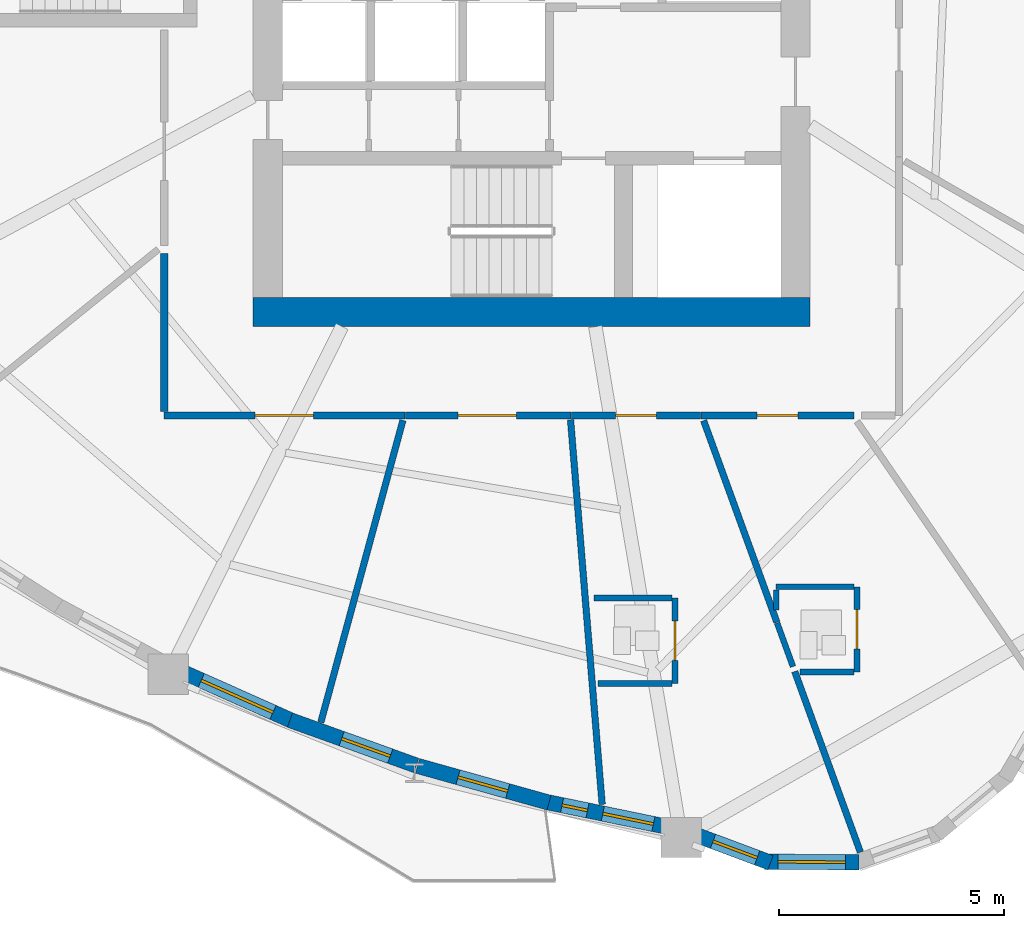
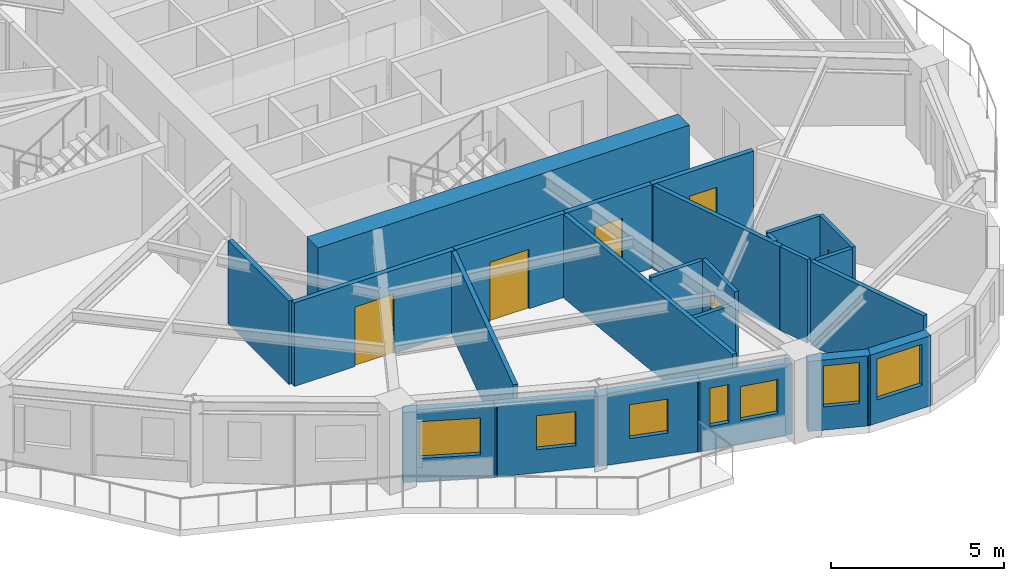
# One storey, part 3 of 12: 24 walls, 7 windows, 6 doors, 13 openings.
"""IFC4 building model written with IfcOpenShell, lengths in metres."""

from ifc_helpers import new_model, si_unit, direction, frame, frame_2d, origin, place, context, subcontext, project, spatial, rectangle, extrude, source, transform, mapped, material, layer, layer_set, type_object, element, fill, save


model = new_model("IFC4")

# Units and contexts
model_context = context("Model", 3, precision=1e-05, world=origin(), true_north=direction((0.0, 1.0)))
body_context = subcontext(model_context, "Body", "Model", "MODEL_VIEW")
ifc_project = project(units=[si_unit("LENGTHUNIT", "METRE"), si_unit("AREAUNIT", "SQUARE_METRE"), si_unit("VOLUMEUNIT", "CUBIC_METRE"), si_unit("PLANEANGLEUNIT", "RADIAN"), si_unit("MASSUNIT", "GRAM", prefix="KILO")], contexts=[model_context])

# Site, building, storey
site_placement = place(None, origin())
site = spatial("IfcSite", under=ifc_project, at=site_placement, CompositionType="ELEMENT")
building_placement = place(site_placement, origin())
building = spatial("IfcBuilding", under=site, at=building_placement, Name="Qafzar Sky-Pleat Residences", CompositionType="ELEMENT")
storey_placement = place(building_placement, frame((0.0, 0.0, 121.60009765625)))
storey = spatial("IfcBuildingStorey", under=building, at=storey_placement, Name="L36", CompositionType="ELEMENT", Elevation=121.60009765625)

# Wall, opening, door
ifc_material_1 = material(Name="Acoustic gypsum plasterboard partition", Category="gypsum")
ifc_layer_1 = layer(ifc_material_1, 0.159912109375)
ifc_layer_set_1 = layer_set([ifc_layer_1], Name="Acoustic gypsum plasterboard partition")
wall_type_1 = type_object("IfcWallType", Name="PART-COR-160", PredefinedType="PARTITIONING", material=ifc_layer_set_1)
wall_1_placement = place(storey_placement, frame((27.530029296875, 15.570068359375, 0.0), z_axis=(0.0, 0.0, 1.0), x_axis=(-1.0, 0.0, 0.0)))
wall_1 = element("IfcWall", 1, at=wall_1_placement, inside=storey, type_object=wall_type_1, Name="L36 Partition Wall PART-L36-PW-003", PredefinedType="PARTITIONING", context=body_context, shape_type="SweptSolid", body=[
    extrude(rectangle(XDim=5.360107421875, YDim=0.159912109375, at=frame_2d((2.68017578125, 0.0))), origin(), (0.0, 0.0, 1.0), 2.949951171875),
])
opening_1_placement = place(wall_1_placement, frame((2.0380859375, 0.0, 0.0)))
opening_1 = element("IfcOpeningElement", 2, at=opening_1_placement, cuts=wall_1, Name="Opening ID-05", PredefinedType="OPENING", context=body_context, shape_type="SweptSolid", body=[
    extrude(rectangle(XDim=1.300048828125, YDim=2.10009765625, at=frame_2d((0.64990234375, 1.050048828125))), frame((0.0, 0.08984375, 0.0), z_axis=(0.0, -1.0, 0.0), x_axis=(1.0, 0.0, 0.0)), (0.0, 0.0, 1.0), 0.179931640625),
])
ifc_material_2 = material(Name="Timber-faced fire door", Category="wood")
door_type_1 = type_object("IfcDoorType", Name="DR-LNG-1300", OperationType="DOUBLE_DOOR_SINGLE_SWING", PredefinedType="DOOR", material=ifc_material_2)
shared_shape_1 = source(origin(), body_context, "Body", "SweptSolid", [
    extrude(rectangle(XDim=1.300048828125, YDim=2.10009765625, at=frame_2d((0.64990234375, 1.050048828125))), frame((0.0, 0.02490234375, 0.0), z_axis=(0.0, -1.0, 0.0), x_axis=(1.0, 0.0, 0.0)), (0.0, 0.0, 1.0), 0.050048828125),
])
door_1_placement = place(opening_1_placement, origin())
door_1 = element("IfcDoor", 3, at=door_1_placement, inside=storey, type_object=door_type_1, Name="L36 Research Conference Room Door", OperationType="DOUBLE_DOOR_SINGLE_SWING", OverallHeight=2.10009765625, OverallWidth=1.300048828125, PredefinedType="DOOR", context=body_context, shape_type="MappedRepresentation", body=[
    mapped(shared_shape_1, transform((0.0, 0.0, 0.0), x_axis=(1.0, 0.0, 0.0), y_axis=(0.0, 1.0, 0.0), z_axis=(0.0, 0.0, 1.0), scale=1.0)),
])
fill(opening_1, door_1)

wall_2_placement = place(storey_placement, frame((31.22412109375, 15.570068359375, 0.0), z_axis=(0.0, 0.0, 1.0), x_axis=(-1.0, 0.0, 0.0)))
wall_2 = element("IfcWall", 4, at=wall_2_placement, inside=storey, type_object=wall_type_1, Name="L36 Partition Wall PART-L36-PW-008", PredefinedType="PARTITIONING", context=body_context, shape_type="SweptSolid", body=[
    extrude(rectangle(XDim=3.67919921875, YDim=0.159912109375, at=frame_2d((1.839599609375, 0.0))), origin(), (0.0, 0.0, 1.0), 2.949951171875),
])
opening_2_placement = place(wall_2_placement, frame((1.21240234375, 0.0, 0.0)))
opening_2 = element("IfcOpeningElement", 5, at=opening_2_placement, cuts=wall_2, Name="Opening ID-05", PredefinedType="OPENING", context=body_context, shape_type="SweptSolid", body=[
    extrude(rectangle(XDim=1.300048828125, YDim=2.10009765625, at=frame_2d((0.64990234375, 1.050048828125))), frame((0.0, 0.08984375, 0.0), z_axis=(0.0, -1.0, 0.0), x_axis=(1.0, 0.0, 0.0)), (0.0, 0.0, 1.0), 0.179931640625),
])
door_2_placement = place(opening_2_placement, origin())
door_2 = element("IfcDoor", 6, at=door_2_placement, inside=storey, type_object=door_type_1, Name="L36 Co-Living Lounge Door", OperationType="DOUBLE_DOOR_SINGLE_SWING", OverallHeight=2.10009765625, OverallWidth=1.300048828125, PredefinedType="DOOR", context=body_context, shape_type="MappedRepresentation", body=[
    mapped(shared_shape_1, transform((0.0, 0.0, 0.0), x_axis=(1.0, 0.0, 0.0), y_axis=(0.0, 1.0, 0.0), z_axis=(0.0, 0.0, 1.0), scale=1.0)),
])
fill(opening_2, door_2)

wall_3_placement = place(storey_placement, frame((37.52392578125, 15.570068359375, 0.0), z_axis=(0.0, 0.0, 1.0), x_axis=(-1.0, 0.0, 0.0)))
wall_3 = element("IfcWall", 7, at=wall_3_placement, inside=storey, type_object=wall_type_1, Name="L36 Partition Wall PART-L36-PW-010", PredefinedType="PARTITIONING", context=body_context, shape_type="SweptSolid", body=[
    extrude(rectangle(XDim=3.40087890625, YDim=0.159912109375, at=frame_2d((1.700439453125, 0.0))), origin(), (0.0, 0.0, 1.0), 2.949951171875),
])
opening_3_placement = place(wall_3_placement, frame((1.241455078125, 0.0, 0.0)))
opening_3 = element("IfcOpeningElement", 8, at=opening_3_placement, cuts=wall_3, Name="Opening ID-04", PredefinedType="OPENING", context=body_context, shape_type="SweptSolid", body=[
    extrude(rectangle(XDim=0.919921875, YDim=2.10009765625, at=frame_2d((0.4599609375, 1.050048828125))), frame((0.0, 0.08984375, 0.0), z_axis=(0.0, -1.0, 0.0), x_axis=(1.0, 0.0, 0.0)), (0.0, 0.0, 1.0), 0.179931640625),
])
door_type_2 = type_object("IfcDoorType", Name="DR-BED-920", OperationType="NOTDEFINED", PredefinedType="DOOR", material=ifc_material_2)
shared_shape_2 = source(origin(), body_context, "Body", "SweptSolid", [
    extrude(rectangle(XDim=0.919921875, YDim=2.10009765625, at=frame_2d((0.4599609375, 1.050048828125))), frame((0.0, 0.02490234375, 0.0), z_axis=(0.0, -1.0, 0.0), x_axis=(1.0, 0.0, 0.0)), (0.0, 0.0, 1.0), 0.050048828125),
])
door_3_placement = place(opening_3_placement, origin())
door_3 = element("IfcDoor", 9, at=door_3_placement, inside=storey, type_object=door_type_2, Name="L36 Co-Living Bedroom 4 Door", OperationType="SINGLE_SWING_RIGHT", OverallHeight=2.10009765625, OverallWidth=0.919921875, PredefinedType="DOOR", context=body_context, shape_type="MappedRepresentation", body=[
    mapped(shared_shape_2, transform((0.0, 0.0, 0.0), x_axis=(1.0, 0.0, 0.0), y_axis=(0.0, 1.0, 0.0), z_axis=(0.0, 0.0, 1.0), scale=1.0)),
])
fill(opening_3, door_3)

wall_4_placement = place(storey_placement, frame((34.10791015625, 15.570068359375, 0.0), z_axis=(0.0, 0.0, 1.0), x_axis=(-1.0, 0.0, 0.0)))
wall_4 = element("IfcWall", 10, at=wall_4_placement, inside=storey, type_object=wall_type_1, Name="L36 Partition Wall PART-L36-PW-011", PredefinedType="PARTITIONING", context=body_context, shape_type="SweptSolid", body=[
    extrude(rectangle(XDim=2.868896484375, YDim=0.159912109375, at=frame_2d((1.4345703125, 0.0))), origin(), (0.0, 0.0, 1.0), 2.949951171875),
])
opening_4_placement = place(wall_4_placement, frame((0.97412109375, 0.0, 0.0)))
opening_4 = element("IfcOpeningElement", 11, at=opening_4_placement, cuts=wall_4, Name="Opening ID-04", PredefinedType="OPENING", context=body_context, shape_type="SweptSolid", body=[
    extrude(rectangle(XDim=0.919921875, YDim=2.10009765625, at=frame_2d((0.4599609375, 1.050048828125))), frame((0.0, 0.08984375, 0.0), z_axis=(0.0, -1.0, 0.0), x_axis=(1.0, 0.0, 0.0)), (0.0, 0.0, 1.0), 0.179931640625),
])
door_4_placement = place(opening_4_placement, origin())
door_4 = element("IfcDoor", 12, at=door_4_placement, inside=storey, type_object=door_type_2, Name="L36 Co-Living Bedroom 3 Door", OperationType="SINGLE_SWING_LEFT", OverallHeight=2.10009765625, OverallWidth=0.919921875, PredefinedType="DOOR", context=body_context, shape_type="MappedRepresentation", body=[
    mapped(shared_shape_2, transform((0.0, 0.0, 0.0), x_axis=(1.0, 0.0, 0.0), y_axis=(0.0, 1.0, 0.0), z_axis=(0.0, 0.0, 1.0), scale=1.0)),
])
fill(opening_4, door_4)

# Walls
wall_5_placement = place(storey_placement, frame((22.169921875, 15.657958984375, 0.0), z_axis=(0.0, 0.0, 1.0), x_axis=(0.0, 1.0, 0.0)))
element("IfcWall", 13, at=wall_5_placement, inside=storey, type_object=wall_type_1, Name="L36 Partition Wall PART-L36-PW-039", PredefinedType="PARTITIONING", context=body_context, shape_type="SweptSolid", body=[
    extrude(rectangle(XDim=3.52001953125, YDim=0.159912109375, at=frame_2d((1.760009765625, 0.0))), origin(), (0.0, 0.0, 1.0), 2.949951171875),
])
ifc_layer_2 = layer(ifc_material_1, 0.14501953125)
ifc_layer_set_2 = layer_set([ifc_layer_2], Name="Acoustic gypsum plasterboard partition")
wall_type_2 = type_object("IfcWallType", Name="PART-UNIT-145", PredefinedType="PARTITIONING", material=ifc_layer_set_2)
wall_6_placement = place(storey_placement, frame((31.216796875, 15.47607421875, 0.0), z_axis=(0.0, 0.0, 1.0), x_axis=(0.081928316893, -0.996638224679, 0.0)))
element("IfcWall", 14, at=wall_6_placement, inside=storey, type_object=wall_type_2, Name="L36 Partition Wall PART-L36-PW-023", PredefinedType="PARTITIONING", context=body_context, shape_type="SweptSolid", body=[
    extrude(rectangle(XDim=8.591064453125, YDim=0.14501953125, at=frame_2d((4.29541015625, 0.0))), origin(), (0.0, 0.0, 1.0), 2.949951171875),
])
wall_7_placement = place(storey_placement, frame((25.6572265625, 8.739013671875, 0.0), z_axis=(0.0, 0.0, 1.0), x_axis=(0.26231095786, 0.964983399539, 0.0)))
element("IfcWall", 15, at=wall_7_placement, inside=storey, type_object=wall_type_2, Name="L36 Partition Wall PART-L36-PW-027", PredefinedType="PARTITIONING", context=body_context, shape_type="SweptSolid", body=[
    extrude(rectangle(XDim=6.96826171875, YDim=0.14501953125, at=frame_2d((3.484130859375, 0.0))), origin(), (0.0, 0.0, 1.0), 2.949951171875),
])
wall_8_placement = place(storey_placement, frame((34.1796875, 15.457763671875, 0.0), z_axis=(0.0, 0.0, 1.0), x_axis=(0.341373856507, -0.939927598325, 0.0)))
element("IfcWall", 16, at=wall_8_placement, inside=storey, type_object=wall_type_2, Name="L36 Partition Wall PART-L36-PW-035", PredefinedType="PARTITIONING", context=body_context, shape_type="SweptSolid", body=[
    extrude(rectangle(XDim=4.77880859375, YDim=0.14501953125, at=frame_2d((2.389404296875, 0.0))), origin(), (0.0, 0.0, 1.0), 2.949951171875),
])
wall_9_placement = place(storey_placement, frame((36.2080078125, 9.873046875, 0.0), z_axis=(0.0, 0.0, 1.0), x_axis=(0.341362804218, -0.939931612351, 0.0)))
element("IfcWall", 17, at=wall_9_placement, inside=storey, type_object=wall_type_2, Name="L36 Partition Wall PART-L36-PW-036", PredefinedType="PARTITIONING", context=body_context, shape_type="SweptSolid", body=[
    extrude(rectangle(XDim=4.279052734375, YDim=0.14501953125, at=frame_2d((2.1396484375, 0.0))), origin(), (0.0, 0.0, 1.0), 2.949951171875),
])

# Wall, opening, door
ifc_material_3 = material(Name="Moisture-resistant gypsum partition", Category="gypsum")
ifc_layer_3 = layer(ifc_material_3, 0.1298828125)
ifc_layer_set_3 = layer_set([ifc_layer_3], Name="Moisture-resistant gypsum partition")
wall_type_3 = type_object("IfcWallType", Name="PART-WET-130", PredefinedType="PARTITIONING", material=ifc_layer_set_3)
wall_10_placement = place(storey_placement, frame((33.54296875, 9.60791015625, 0.0), z_axis=(0.0, 0.0, 1.0), x_axis=(0.0, 1.0, 0.0)))
wall_10 = element("IfcWall", 18, at=wall_10_placement, inside=storey, type_object=wall_type_3, Name="L36 Partition Wall PART-L36-PW-016", PredefinedType="PARTITIONING", context=body_context, shape_type="SweptSolid", body=[
    extrude(rectangle(XDim=1.900146484375, YDim=0.1298828125, at=frame_2d((0.9501953125, 0.0))), origin(), (0.0, 0.0, 1.0), 2.949951171875),
])
opening_5_placement = place(wall_10_placement, frame((0.510009765625, 0.0, 0.0)))
opening_5 = element("IfcOpeningElement", 19, at=opening_5_placement, cuts=wall_10, Name="Opening ID-07", PredefinedType="OPENING", context=body_context, shape_type="SweptSolid", body=[
    extrude(rectangle(XDim=0.8798828125, YDim=2.050048828125, at=frame_2d((0.43994140625, 1.02490234375))), frame((0.0, 0.074951171875, 0.0), z_axis=(0.0, -1.0, 0.0), x_axis=(1.0, 0.0, 0.0)), (0.0, 0.0, 1.0), 0.14990234375),
])
door_type_3 = type_object("IfcDoorType", Name="DR-WET-880", OperationType="NOTDEFINED", PredefinedType="DOOR", material=ifc_material_2)
shared_shape_3 = source(origin(), body_context, "Body", "SweptSolid", [
    extrude(rectangle(XDim=0.8798828125, YDim=2.050048828125, at=frame_2d((0.43994140625, 1.02490234375))), frame((0.0, 0.02490234375, 0.0), z_axis=(0.0, -1.0, 0.0), x_axis=(1.0, 0.0, 0.0)), (0.0, 0.0, 1.0), 0.050048828125),
])
door_5_placement = place(opening_5_placement, origin())
door_5 = element("IfcDoor", 20, at=door_5_placement, inside=storey, type_object=door_type_3, Name="L36 En-suite Bathroom 3 Door", OperationType="SINGLE_SWING_RIGHT", OverallHeight=2.050048828125, OverallWidth=0.8798828125, PredefinedType="DOOR", context=body_context, shape_type="MappedRepresentation", body=[
    mapped(shared_shape_3, transform((0.0, 0.0, 0.0), x_axis=(1.0, 0.0, 0.0), y_axis=(0.0, 1.0, 0.0), z_axis=(0.0, 0.0, 1.0), scale=1.0)),
])
fill(opening_5, door_5)

wall_11_placement = place(storey_placement, frame((37.595947265625, 9.85791015625, 0.0), z_axis=(0.0, 0.0, 1.0), x_axis=(0.0, 1.0, 0.0)))
wall_11 = element("IfcWall", 21, at=wall_11_placement, inside=storey, type_object=wall_type_3, Name="L36 Partition Wall PART-L36-PW-017", PredefinedType="PARTITIONING", context=body_context, shape_type="SweptSolid", body=[
    extrude(rectangle(XDim=1.900146484375, YDim=0.1298828125, at=frame_2d((0.9501953125, 0.0))), origin(), (0.0, 0.0, 1.0), 2.949951171875),
])
opening_6_placement = place(wall_11_placement, frame((0.510009765625, 0.0, 0.0)))
opening_6 = element("IfcOpeningElement", 22, at=opening_6_placement, cuts=wall_11, Name="Opening ID-07", PredefinedType="OPENING", context=body_context, shape_type="SweptSolid", body=[
    extrude(rectangle(XDim=0.8798828125, YDim=2.050048828125, at=frame_2d((0.43994140625, 1.02490234375))), frame((0.0, 0.074951171875, 0.0), z_axis=(0.0, -1.0, 0.0), x_axis=(1.0, 0.0, 0.0)), (0.0, 0.0, 1.0), 0.14990234375),
])
door_6_placement = place(opening_6_placement, origin())
door_6 = element("IfcDoor", 23, at=door_6_placement, inside=storey, type_object=door_type_3, Name="L36 En-suite Bathroom 4 Door", OperationType="SINGLE_SWING_LEFT", OverallHeight=2.050048828125, OverallWidth=0.8798828125, PredefinedType="DOOR", context=body_context, shape_type="MappedRepresentation", body=[
    mapped(shared_shape_3, transform((0.0, 0.0, 0.0), x_axis=(1.0, 0.0, 0.0), y_axis=(0.0, 1.0, 0.0), z_axis=(0.0, 0.0, 1.0), scale=1.0)),
])
fill(opening_6, door_6)

# Walls
wall_12_placement = place(storey_placement, frame((31.742919921875, 11.508056640625, 0.0), z_axis=(0.0, 0.0, 1.0), x_axis=(1.0, 0.0, 0.0)))
element("IfcWall", 24, at=wall_12_placement, inside=storey, type_object=wall_type_3, Name="L36 Partition Wall PART-L36-PW-043", PredefinedType="PARTITIONING", context=body_context, shape_type="SweptSolid", body=[
    extrude(rectangle(XDim=1.72705078125, YDim=0.1298828125, at=frame_2d((0.863525390625, 0.0))), origin(), (0.0, 0.0, 1.0), 2.949951171875),
])
wall_13_placement = place(storey_placement, frame((31.8291015625, 9.60791015625, 0.0), z_axis=(0.0, 0.0, 1.0), x_axis=(1.0, 0.0, 0.0)))
element("IfcWall", 25, at=wall_13_placement, inside=storey, type_object=wall_type_3, Name="L36 Partition Wall PART-L36-PW-044", PredefinedType="PARTITIONING", context=body_context, shape_type="SweptSolid", body=[
    extrude(rectangle(XDim=1.640869140625, YDim=0.1298828125, at=frame_2d((0.8203125, 0.0))), origin(), (0.0, 0.0, 1.0), 2.557861328125),
])
wall_14_placement = place(storey_placement, frame((35.7958984375, 11.758056640625, 0.0), z_axis=(0.0, 0.0, 1.0), x_axis=(1.0, 0.0, 0.0)))
element("IfcWall", 26, at=wall_14_placement, inside=storey, type_object=wall_type_3, Name="L36 Partition Wall PART-L36-PW-046", PredefinedType="PARTITIONING", context=body_context, shape_type="SweptSolid", body=[
    extrude(rectangle(XDim=1.72705078125, YDim=0.1298828125, at=frame_2d((0.863525390625, 0.0))), origin(), (0.0, 0.0, 1.0), 2.949951171875),
])
wall_15_placement = place(storey_placement, frame((36.32275390625, 9.85791015625, 0.0), z_axis=(0.0, 0.0, 1.0), x_axis=(1.0, 0.0, 0.0)))
element("IfcWall", 27, at=wall_15_placement, inside=storey, type_object=wall_type_3, Name="L36 Partition Wall PART-L36-PW-049", PredefinedType="PARTITIONING", context=body_context, shape_type="SweptSolid", body=[
    extrude(rectangle(XDim=1.2001953125, YDim=0.1298828125, at=frame_2d((0.60009765625, 0.0))), origin(), (0.0, 0.0, 1.0), 2.949951171875),
])
wall_16_placement = place(storey_placement, frame((35.816162109375, 10.951904296875, 0.0), z_axis=(0.0, 0.0, 1.0), x_axis=(0.341515178303, -0.939876259403, 0.0)))
element("IfcWall", 28, at=wall_16_placement, inside=storey, type_object=wall_type_3, Name="L36 Partition Wall PART-L36-PW-052", PredefinedType="PARTITIONING", context=body_context, shape_type="SweptSolid", body=[
    extrude(rectangle(XDim=1.0322265625, YDim=0.1298828125, at=frame_2d((0.51611328125, 0.0))), origin(), (0.0, 0.0, 1.0), 2.949951171875),
])
wall_17_placement = place(storey_placement, frame((35.7958984375, 11.2470703125, 0.0), z_axis=(0.0, 0.0, 1.0), x_axis=(0.0, 1.0, 0.0)))
element("IfcWall", 29, at=wall_17_placement, inside=storey, type_object=wall_type_3, Name="L36 Partition Wall PART-L36-PW-055", PredefinedType="PARTITIONING", context=body_context, shape_type="SweptSolid", body=[
    extrude(rectangle(XDim=0.43798828125, YDim=0.1298828125, at=frame_2d((0.218994140625, 0.0))), origin(), (0.0, 0.0, 1.0), 2.949951171875),
])

# Wall, opening, window
ifc_material_4 = material(Name="Precast concrete C40/50 with honed Riyadh limestone", Category="concrete")
ifc_layer_4 = layer(ifc_material_4, 0.340087890625)
ifc_layer_set_4 = layer_set([ifc_layer_4], Name="Precast concrete C40/50 with honed Riyadh limestone")
wall_type_4 = type_object("IfcWallType", Name="WALL-EXT-340", PredefinedType="SOLIDWALL", material=ifc_layer_set_4)
wall_18_placement = place(storey_placement, frame((22.54443359375, 9.875244140625, 0.0), z_axis=(0.0, 0.0, 1.0), x_axis=(0.913404185574, -0.407053797153, 0.0)))
wall_18 = element("IfcWall", 30, at=wall_18_placement, inside=storey, type_object=wall_type_4, Name="L36 Limestone Facade Wall 13", PredefinedType="SOLIDWALL", context=body_context, shape_type="SweptSolid", body=[
    extrude(rectangle(XDim=2.746337890625, YDim=0.340087890625, at=frame_2d((1.373046875, 0.0))), origin(), (0.0, 0.0, 1.0), 2.47998046875),
])
opening_7_placement = place(wall_18_placement, frame((0.4931640625, 0.0, 0.820068359375)))
opening_7 = element("IfcOpeningElement", 31, at=opening_7_placement, cuts=wall_18, Name="Opening WN-14", PredefinedType="OPENING", context=body_context, shape_type="SweptSolid", body=[
    extrude(rectangle(XDim=1.75, YDim=1.300048828125, at=frame_2d((0.875, 0.64990234375))), frame((0.0, 0.18017578125, 0.0), z_axis=(0.0, -1.0, 0.0), x_axis=(1.0, 0.0, 0.0)), (0.0, 0.0, 1.0), 0.360107421875),
])
ifc_material_5 = material(Name="Solar-control low-E glass in bronze aluminium frame", Category="glass")
window_type_1 = type_object("IfcWindowType", Name="WIN-14", PartitioningType="DOUBLE_PANEL_VERTICAL", PredefinedType="WINDOW", material=ifc_material_5)
shared_shape_4 = source(origin(), body_context, "Body", "SweptSolid", [
    extrude(rectangle(XDim=1.75, YDim=1.300048828125, at=frame_2d((0.875, 0.64990234375))), frame((0.0, 0.030029296875, 0.0), z_axis=(0.0, -1.0, 0.0), x_axis=(1.0, 0.0, 0.0)), (0.0, 0.0, 1.0), 0.06005859375),
])
window_1_placement = place(opening_7_placement, origin())
window_1 = element("IfcWindow", 32, at=window_1_placement, inside=storey, type_object=window_type_1, Name="L36 Punched Facade Window 13", OverallHeight=1.300048828125, OverallWidth=1.75, PartitioningType="SINGLE_PANEL", PredefinedType="WINDOW", context=body_context, shape_type="MappedRepresentation", body=[
    mapped(shared_shape_4, transform((0.0, 0.0, 0.0), x_axis=(1.0, 0.0, 0.0), y_axis=(0.0, 1.0, 0.0), z_axis=(0.0, 0.0, 1.0), scale=1.0)),
])
fill(opening_7, window_1)

wall_19_placement = place(storey_placement, frame((24.970703125, 8.790283203125, 0.0), z_axis=(0.0, 0.0, 1.0), x_axis=(0.941086086789, -0.338167084814, 0.0)))
wall_19 = element("IfcWall", 33, at=wall_19_placement, inside=storey, type_object=wall_type_4, Name="L36 Limestone Facade Wall 14", PredefinedType="SOLIDWALL", context=body_context, shape_type="SweptSolid", body=[
    extrude(rectangle(XDim=2.989501953125, YDim=0.340087890625, at=frame_2d((1.49462890625, 0.0))), origin(), (0.0, 0.0, 1.0), 2.47998046875),
])
opening_8_placement = place(wall_19_placement, frame((1.222412109375, 0.0, 0.820068359375)))
opening_8 = element("IfcOpeningElement", 34, at=opening_8_placement, cuts=wall_19, Name="Opening WN-16", PredefinedType="OPENING", context=body_context, shape_type="SweptSolid", body=[
    extrude(rectangle(XDim=1.14990234375, YDim=1.199951171875, at=frame_2d((0.574951171875, 0.60009765625))), frame((0.0, 0.18017578125, 0.0), z_axis=(0.0, -1.0, 0.0), x_axis=(1.0, 0.0, 0.0)), (0.0, 0.0, 1.0), 0.360107421875),
])
window_type_2 = type_object("IfcWindowType", Name="WIN-16", PartitioningType="SINGLE_PANEL", PredefinedType="WINDOW", material=ifc_material_5)
shared_shape_5 = source(origin(), body_context, "Body", "SweptSolid", [
    extrude(rectangle(XDim=1.14990234375, YDim=1.199951171875, at=frame_2d((0.574951171875, 0.60009765625))), frame((0.0, 0.030029296875, 0.0), z_axis=(0.0, -1.0, 0.0), x_axis=(1.0, 0.0, 0.0)), (0.0, 0.0, 1.0), 0.06005859375),
])
window_2_placement = place(opening_8_placement, origin())
window_2 = element("IfcWindow", 35, at=window_2_placement, inside=storey, type_object=window_type_2, Name="L36 Punched Facade Window 14-2", OverallHeight=1.199951171875, OverallWidth=1.14990234375, PartitioningType="SINGLE_PANEL", PredefinedType="WINDOW", context=body_context, shape_type="MappedRepresentation", body=[
    mapped(shared_shape_5, transform((0.0, 0.0, 0.0), x_axis=(1.0, 0.0, 0.0), y_axis=(0.0, 1.0, 0.0), z_axis=(0.0, 0.0, 1.0), scale=1.0)),
])
fill(opening_8, window_2)

wall_20_placement = place(storey_placement, frame((27.810546875, 7.77099609375, 0.0), z_axis=(0.0, 0.0, 1.0), x_axis=(0.963039905189, -0.269358758934, 0.0)))
wall_20 = element("IfcWall", 36, at=wall_20_placement, inside=storey, type_object=wall_type_4, Name="L36 Limestone Facade Wall 15", PredefinedType="SOLIDWALL", context=body_context, shape_type="SweptSolid", body=[
    extrude(rectangle(XDim=3.0390625, YDim=0.340087890625, at=frame_2d((1.51953125, 0.0))), origin(), (0.0, 0.0, 1.0), 2.47998046875),
])
opening_9_placement = place(wall_20_placement, frame((0.9345703125, 0.0, 0.820068359375)))
opening_9 = element("IfcOpeningElement", 37, at=opening_9_placement, cuts=wall_20, Name="Opening WN-16", PredefinedType="OPENING", context=body_context, shape_type="SweptSolid", body=[
    extrude(rectangle(XDim=1.14990234375, YDim=1.199951171875, at=frame_2d((0.574951171875, 0.60009765625))), frame((0.0, 0.18017578125, 0.0), z_axis=(0.0, -1.0, 0.0), x_axis=(1.0, 0.0, 0.0)), (0.0, 0.0, 1.0), 0.360107421875),
])
window_3_placement = place(opening_9_placement, origin())
window_3 = element("IfcWindow", 38, at=window_3_placement, inside=storey, type_object=window_type_2, Name="L36 Punched Facade Window 15", OverallHeight=1.199951171875, OverallWidth=1.14990234375, PartitioningType="SINGLE_PANEL", PredefinedType="WINDOW", context=body_context, shape_type="MappedRepresentation", body=[
    mapped(shared_shape_5, transform((0.0, 0.0, 0.0), x_axis=(1.0, 0.0, 0.0), y_axis=(0.0, 1.0, 0.0), z_axis=(0.0, 0.0, 1.0), scale=1.0)),
])
fill(opening_9, window_3)

# Wall, openings, windows
wall_21_placement = place(storey_placement, frame((30.65185546875, 6.97314453125, 0.0), z_axis=(0.0, 0.0, 1.0), x_axis=(0.979418300652, -0.201841007595, 0.0)))
wall_21 = element("IfcWall", 39, at=wall_21_placement, inside=storey, type_object=wall_type_4, Name="L36 Limestone Facade Wall 16", PredefinedType="SOLIDWALL", context=body_context, shape_type="SweptSolid", body=[
    extrude(rectangle(XDim=2.893310546875, YDim=0.340087890625, at=frame_2d((1.44677734375, 0.0))), origin(), (0.0, 0.0, 1.0), 2.47998046875),
])
opening_10_placement = place(wall_21_placement, frame((0.383056640625, 0.0, 0.820068359375)))
opening_10 = element("IfcOpeningElement", 40, at=opening_10_placement, cuts=wall_21, Name="Opening WN-17", PredefinedType="OPENING", context=body_context, shape_type="SweptSolid", body=[
    extrude(rectangle(XDim=0.580078125, YDim=1.35009765625, at=frame_2d((0.2900390625, 0.675048828125))), frame((0.0, 0.18017578125, 0.0), z_axis=(0.0, -1.0, 0.0), x_axis=(1.0, 0.0, 0.0)), (0.0, 0.0, 1.0), 0.360107421875),
])
opening_11_placement = place(wall_21_placement, frame((1.309814453125, 0.0, 0.820068359375)))
opening_11 = element("IfcOpeningElement", 41, at=opening_11_placement, cuts=wall_21, Name="Opening WN-16", PredefinedType="OPENING", context=body_context, shape_type="SweptSolid", body=[
    extrude(rectangle(XDim=1.14990234375, YDim=1.199951171875, at=frame_2d((0.574951171875, 0.60009765625))), frame((0.0, 0.18017578125, 0.0), z_axis=(0.0, -1.0, 0.0), x_axis=(1.0, 0.0, 0.0)), (0.0, 0.0, 1.0), 0.360107421875),
])
window_type_3 = type_object("IfcWindowType", Name="WIN-17", PartitioningType="SINGLE_PANEL", PredefinedType="WINDOW", material=ifc_material_5)
shared_shape_6 = source(origin(), body_context, "Body", "SweptSolid", [
    extrude(rectangle(XDim=0.580078125, YDim=1.35009765625, at=frame_2d((0.2900390625, 0.675048828125))), frame((0.0, 0.030029296875, 0.0), z_axis=(0.0, -1.0, 0.0), x_axis=(1.0, 0.0, 0.0)), (0.0, 0.0, 1.0), 0.06005859375),
])
window_4_placement = place(opening_10_placement, origin())
window_4 = element("IfcWindow", 42, at=window_4_placement, inside=storey, type_object=window_type_3, Name="L36 Punched Facade Window 16", OverallHeight=1.35009765625, OverallWidth=0.580078125, PartitioningType="SINGLE_PANEL", PredefinedType="WINDOW", context=body_context, shape_type="MappedRepresentation", body=[
    mapped(shared_shape_6, transform((0.0, 0.0, 0.0), x_axis=(1.0, 0.0, 0.0), y_axis=(0.0, 1.0, 0.0), z_axis=(0.0, 0.0, 1.0), scale=1.0)),
])
fill(opening_10, window_4)
window_5_placement = place(opening_11_placement, origin())
window_5 = element("IfcWindow", 43, at=window_5_placement, inside=storey, type_object=window_type_2, Name="L36 Punched Facade Window 16-2", OverallHeight=1.199951171875, OverallWidth=1.14990234375, PartitioningType="SINGLE_PANEL", PredefinedType="WINDOW", context=body_context, shape_type="MappedRepresentation", body=[
    mapped(shared_shape_5, transform((0.0, 0.0, 0.0), x_axis=(1.0, 0.0, 0.0), y_axis=(0.0, 1.0, 0.0), z_axis=(0.0, 0.0, 1.0), scale=1.0)),
])
fill(opening_11, window_5)

# Wall, opening, window
wall_22_placement = place(storey_placement, frame((33.95166015625, 6.2548828125, 0.0), z_axis=(0.0, 0.0, 1.0), x_axis=(0.936799566991, -0.349866504951, 0.0)))
wall_22 = element("IfcWall", 44, at=wall_22_placement, inside=storey, type_object=wall_type_4, Name="L36 Limestone Facade Wall 17", PredefinedType="SOLIDWALL", context=body_context, shape_type="SweptSolid", body=[
    extrude(rectangle(XDim=1.8310546875, YDim=0.340087890625, at=frame_2d((0.91552734375, 0.0))), origin(), (0.0, 0.0, 1.0), 2.47998046875),
])
opening_12_placement = place(wall_22_placement, frame((0.465576171875, 0.0, 0.820068359375)))
opening_12 = element("IfcOpeningElement", 45, at=opening_12_placement, cuts=wall_22, Name="Opening WN-06", PredefinedType="OPENING", context=body_context, shape_type="SweptSolid", body=[
    extrude(rectangle(XDim=1.050048828125, YDim=1.449951171875, at=frame_2d((0.52490234375, 0.72509765625))), frame((0.0, 0.18017578125, 0.0), z_axis=(0.0, -1.0, 0.0), x_axis=(1.0, 0.0, 0.0)), (0.0, 0.0, 1.0), 0.360107421875),
])
window_type_4 = type_object("IfcWindowType", Name="WIN-06", PartitioningType="SINGLE_PANEL", PredefinedType="WINDOW", material=ifc_material_5)
shared_shape_7 = source(origin(), body_context, "Body", "SweptSolid", [
    extrude(rectangle(XDim=1.050048828125, YDim=1.449951171875, at=frame_2d((0.52490234375, 0.72509765625))), frame((0.0, 0.030029296875, 0.0), z_axis=(0.0, -1.0, 0.0), x_axis=(1.0, 0.0, 0.0)), (0.0, 0.0, 1.0), 0.06005859375),
])
window_6_placement = place(opening_12_placement, origin())
window_6 = element("IfcWindow", 46, at=window_6_placement, inside=storey, type_object=window_type_4, Name="L36 Punched Facade Window 17", OverallHeight=1.449951171875, OverallWidth=1.050048828125, PartitioningType="SINGLE_PANEL", PredefinedType="WINDOW", context=body_context, shape_type="MappedRepresentation", body=[
    mapped(shared_shape_7, transform((0.0, 0.0, 0.0), x_axis=(1.0, 0.0, 0.0), y_axis=(0.0, 1.0, 0.0), z_axis=(0.0, 0.0, 1.0), scale=1.0)),
])
fill(opening_12, window_6)

wall_23_placement = place(storey_placement, frame((35.534912109375, 5.638671875, 0.0), z_axis=(0.0, 0.0, 1.0), x_axis=(0.999976456891, -0.00686189939, 0.0)))
wall_23 = element("IfcWall", 47, at=wall_23_placement, inside=storey, type_object=wall_type_4, Name="L36 Limestone Facade Wall 18", PredefinedType="SOLIDWALL", context=body_context, shape_type="SweptSolid", body=[
    extrude(rectangle(XDim=2.09912109375, YDim=0.340087890625, at=frame_2d((1.049560546875, 0.0))), origin(), (0.0, 0.0, 1.0), 2.47998046875),
])
opening_13_placement = place(wall_23_placement, frame((0.299560546875, 0.0, 0.820068359375)))
opening_13 = element("IfcOpeningElement", 48, at=opening_13_placement, cuts=wall_23, Name="Opening WN-03", PredefinedType="OPENING", context=body_context, shape_type="SweptSolid", body=[
    extrude(rectangle(XDim=1.5, YDim=1.449951171875, at=frame_2d((0.75, 0.72509765625))), frame((0.0, 0.18017578125, 0.0), z_axis=(0.0, -1.0, 0.0), x_axis=(1.0, 0.0, 0.0)), (0.0, 0.0, 1.0), 0.360107421875),
])
window_type_5 = type_object("IfcWindowType", Name="WIN-03", PartitioningType="DOUBLE_PANEL_VERTICAL", PredefinedType="WINDOW", material=ifc_material_5)
shared_shape_8 = source(origin(), body_context, "Body", "SweptSolid", [
    extrude(rectangle(XDim=1.5, YDim=1.449951171875, at=frame_2d((0.75, 0.72509765625))), frame((0.0, 0.030029296875, 0.0), z_axis=(0.0, -1.0, 0.0), x_axis=(1.0, 0.0, 0.0)), (0.0, 0.0, 1.0), 0.06005859375),
])
window_7_placement = place(opening_13_placement, origin())
window_7 = element("IfcWindow", 49, at=window_7_placement, inside=storey, type_object=window_type_5, Name="L36 Punched Facade Window 18", OverallHeight=1.449951171875, OverallWidth=1.5, PartitioningType="SINGLE_PANEL", PredefinedType="WINDOW", context=body_context, shape_type="MappedRepresentation", body=[
    mapped(shared_shape_8, transform((0.0, 0.0, 0.0), x_axis=(1.0, 0.0, 0.0), y_axis=(0.0, 1.0, 0.0), z_axis=(0.0, 0.0, 1.0), scale=1.0)),
])
fill(opening_13, window_7)

# Wall
ifc_material_6 = material(Name="Concrete C60/75", Category="concrete")
ifc_layer_5 = layer(ifc_material_6, 0.64990234375)
ifc_layer_set_5 = layer_set([ifc_layer_5], Name="Concrete C60/75")
wall_type_5 = type_object("IfcWallType", Name="WALL-SHEAR-650", PredefinedType="SHEAR", material=ifc_layer_set_5)
wall_24_placement = place(storey_placement, frame((24.14990234375, 17.875, 0.0), z_axis=(0.0, 0.0, 1.0), x_axis=(1.0, 0.0, 0.0)))
element("IfcWall", 50, at=wall_24_placement, inside=storey, type_object=wall_type_5, Name="L36 CORE wall S", PredefinedType="SHEAR", context=body_context, shape_type="SweptSolid", body=[
    extrude(rectangle(XDim=12.400146484375, YDim=0.64990234375, at=frame_2d((6.2001953125, 0.0))), origin(), (0.0, 0.0, 1.0), 2.949951171875),
])

save(model, "model.ifc")
